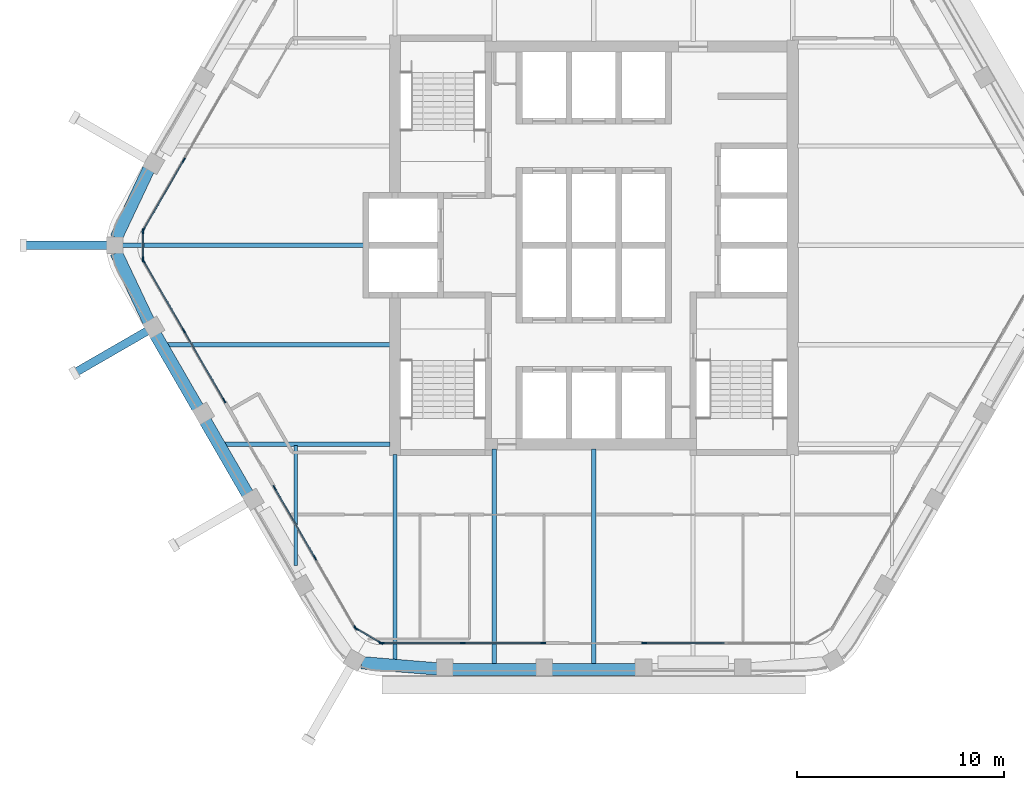
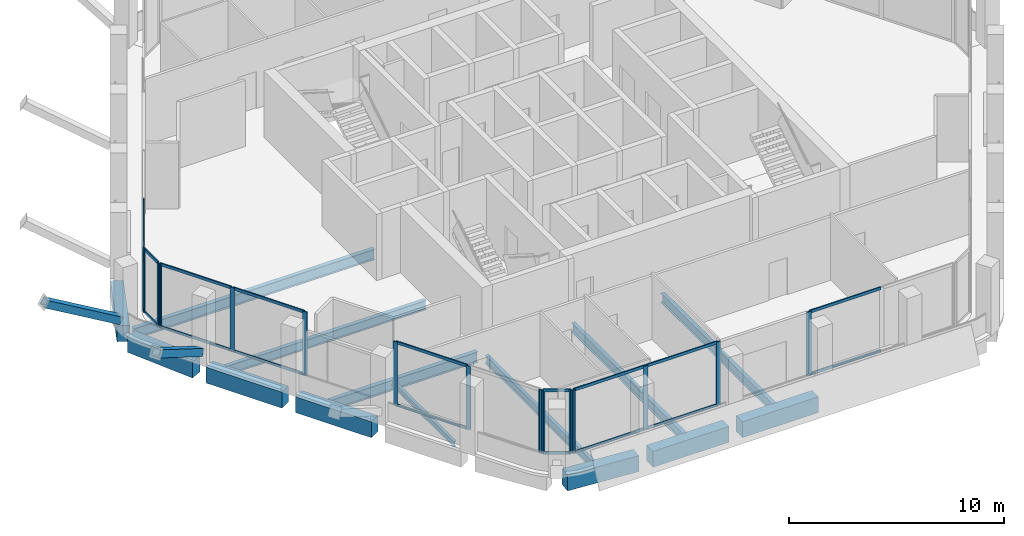
# One storey, part 2 of 14: 36 members, 14 beams, 7 elements without a shape of their own.
"""IFC4 building model written with IfcOpenShell, lengths in metres."""

from ifc_helpers import new_model, si_unit, direction, frame, origin, origin_2d, place, context, subcontext, project, spatial, rectangle, hollow_rectangle, i_section, extrude, material, material_profile, profile_set, type_object, element, aggregate, save


model = new_model("IFC4")

# Units and contexts
model_context = context("Model", 3, precision=1e-05, world=origin(), true_north=direction((0.0, 1.0)))
body_context = subcontext(model_context, "Body", "Model", "MODEL_VIEW")
ifc_project = project(units=[si_unit("LENGTHUNIT", "METRE"), si_unit("AREAUNIT", "SQUARE_METRE"), si_unit("VOLUMEUNIT", "CUBIC_METRE"), si_unit("PLANEANGLEUNIT", "RADIAN"), si_unit("MASSUNIT", "GRAM", prefix="KILO")], contexts=[model_context])

# Site, building, storey
site_placement = place(None, origin())
site = spatial("IfcSite", under=ifc_project, at=site_placement, CompositionType="ELEMENT")
building_placement = place(site_placement, origin())
building = spatial("IfcBuilding", under=site, at=building_placement, Name="Kolab Exchange Tower", CompositionType="ELEMENT")
storey_placement = place(building_placement, frame((0.0, 0.0, 234.5)))
storey = spatial("IfcBuildingStorey", under=building, at=storey_placement, Name="L51", CompositionType="ELEMENT", Elevation=234.5)

# Beams
ifc_material_1 = material(Name="Steel S355", Category="steel")
ifc_material_profile_1 = material_profile(ifc_material_1, i_section(OverallWidth=0.1650390625, OverallDepth=0.31005859375, WebThickness=0.005859375, FlangeThickness=0.009765625, at=origin_2d()), Name="W310X39")
ifc_profile_set_1 = profile_set([ifc_material_profile_1], Name="Steel S355")
beam_type_1 = type_object("IfcBeamType", Name="FLOOR BEAM W310X39", PredefinedType="BEAM", material=ifc_profile_set_1)
beam_1_placement = place(storey_placement, frame((-14.39990234375, -15.4677734375, -0.304931640625), z_axis=(0.0, 1.0, 0.0), x_axis=(-1.0, 0.0, 0.0)))
element("IfcBeam", 1, at=beam_1_placement, inside=storey, type_object=beam_type_1, Name="beam/L51/fr/003", PredefinedType="BEAM", context=body_context, shape_type="SweptSolid", body=[
    extrude(i_section(OverallWidth=0.1650390625, OverallDepth=0.31005859375, WebThickness=0.005859375, FlangeThickness=0.009765625, at=origin_2d()), origin(), (0.0, 0.0, 1.0), 5.793701171875),
])
ifc_material_profile_2 = material_profile(ifc_material_1, i_section(OverallWidth=0.18994140625, OverallDepth=0.45703125, WebThickness=0.009033203125, FlangeThickness=0.014404296875, at=origin_2d()), Name="W460X74")
ifc_profile_set_2 = profile_set([ifc_material_profile_2], Name="Steel S355")
beam_type_2 = type_object("IfcBeamType", Name="FLOOR BEAM W460X74", PredefinedType="BEAM", material=ifc_profile_set_2)
beam_2_placement = place(storey_placement, frame((-9.60009765625, -20.027099609375, -0.37841796875), z_axis=(0.0, 1.0, 0.0), x_axis=(-1.0, 0.0, 0.0)))
element("IfcBeam", 2, at=beam_2_placement, inside=storey, type_object=beam_type_2, Name="beam/L51/fr/005", PredefinedType="BEAM", context=body_context, shape_type="SweptSolid", body=[
    extrude(i_section(OverallWidth=0.18994140625, OverallDepth=0.45703125, WebThickness=0.009033203125, FlangeThickness=0.014404296875, at=origin_2d()), origin(), (0.0, 0.0, 1.0), 9.9169921875),
])
ifc_material_profile_3 = material_profile(ifc_material_1, i_section(OverallWidth=0.208984375, OverallDepth=0.532958984375, WebThickness=0.01025390625, FlangeThickness=0.015625, at=origin_2d()), Name="W530X92")
ifc_profile_set_3 = profile_set([ifc_material_profile_3], Name="Steel S355")
beam_type_3 = type_object("IfcBeamType", Name="FLOOR BEAM W530X92", PredefinedType="BEAM", material=ifc_profile_set_3)
beam_3_placement = place(storey_placement, frame((-20.575927734375, -4.800048828125, -0.41650390625), z_axis=(1.0, 0.0, 0.0), x_axis=(0.0, 1.0, 0.0)))
element("IfcBeam", 3, at=beam_3_placement, inside=storey, type_object=beam_type_3, Name="beam/L51/fr/001", PredefinedType="BEAM", context=body_context, shape_type="SweptSolid", body=[
    extrude(i_section(OverallWidth=0.208984375, OverallDepth=0.532958984375, WebThickness=0.01025390625, FlangeThickness=0.015625, at=origin_2d()), origin(), (0.0, 0.0, 1.0), 10.740966796875),
])
for number, where, z_axis, x_axis, name in (
    (4, (-4.800048828125, -20.224609375, -0.41650390625), (0.0, 1.0, 0.0), (-1.0, 0.0, 0.0), "beam/L51/fr/007"),
    (5, (0.0, -20.224609375, -0.41650390625), (0.0, 1.0, 0.0), (-1.0, 0.0, 0.0), "beam/L51/fr/009"),
):
    element("IfcBeam", number, at=place(storey_placement, frame(where, z_axis=z_axis, x_axis=x_axis)), inside=storey, type_object=beam_type_3, Name=name, PredefinedType="BEAM", context=body_context, shape_type="SweptSolid", body=[
        extrude(i_section(OverallWidth=0.208984375, OverallDepth=0.532958984375, WebThickness=0.01025390625, FlangeThickness=0.015625, at=origin_2d()), origin(), (0.0, 0.0, 1.0), 10.3896484375),
    ])
ifc_material_profile_4 = material_profile(ifc_material_1, i_section(OverallWidth=0.22802734375, OverallDepth=0.60791015625, WebThickness=0.01123046875, FlangeThickness=0.017333984375, at=origin_2d()), Name="W610X113")
ifc_profile_set_4 = profile_set([ifc_material_profile_4], Name="Steel S355")
beam_type_4 = type_object("IfcBeamType", Name="FLOOR BEAM W610X113", PredefinedType="BEAM", material=ifc_profile_set_4)
beam_4_placement = place(storey_placement, frame((-22.77587890625, 0.0, -0.4541015625), z_axis=(1.0, 0.0, 0.0), x_axis=(0.0, 1.0, 0.0)))
element("IfcBeam", 6, at=beam_4_placement, inside=storey, type_object=beam_type_4, Name="beam/L51/fr/000", PredefinedType="BEAM", context=body_context, shape_type="SweptSolid", body=[
    extrude(i_section(OverallWidth=0.22802734375, OverallDepth=0.60791015625, WebThickness=0.01123046875, FlangeThickness=0.017333984375, at=origin_2d()), origin(), (0.0, 0.0, 1.0), 12.94091796875),
])
ifc_material_profile_5 = material_profile(ifc_material_1, i_section(OverallWidth=0.22802734375, OverallDepth=0.60791015625, WebThickness=0.01123046875, FlangeThickness=0.017333984375, at=origin_2d()), Name="W610X113")
ifc_profile_set_5 = profile_set([ifc_material_profile_5], Name="Steel S355")
beam_type_5 = type_object("IfcBeamType", Name="FLOOR GIRDER W610X113", PredefinedType="BEAM", material=ifc_profile_set_5)
beam_5_placement = place(storey_placement, frame((-17.8046875, -9.60009765625, -0.4541015625), z_axis=(1.0, 0.0, 0.0), x_axis=(0.0, 1.0, 0.0)))
element("IfcBeam", 7, at=beam_5_placement, inside=storey, type_object=beam_type_5, Name="beam/L51/gd/000", PredefinedType="BEAM", context=body_context, shape_type="SweptSolid", body=[
    extrude(i_section(OverallWidth=0.22802734375, OverallDepth=0.60791015625, WebThickness=0.01123046875, FlangeThickness=0.017333984375, at=origin_2d()), origin(), (0.0, 0.0, 1.0), 7.9697265625),
])

# Members
ifc_material_profile_6 = material_profile(ifc_material_1, hollow_rectangle(XDim=0.39990234375, YDim=0.39990234375, WallThickness=0.02001953125, at=origin_2d()), Name="HSS400X400X20")
ifc_profile_set_6 = profile_set([ifc_material_profile_6], Name="Steel S355")
member_type_1 = type_object("IfcMemberType", Name="LEDGE STRUT HSS400X400X20", PredefinedType="STRUT", material=ifc_profile_set_6)
for number, where, z_axis, x_axis, name in (
    (8, (-21.5654296875, -4.136962890625, 0.60009765625), (-0.74714919009, -0.431366436313, 0.505659060406), (0.499999695987, -0.866025579307, 0.0), "mem/L51/ledge/strut-2"),
    (9, (-23.495849609375, 0.0, 0.60009765625), (-0.862733263065, 0.0, 0.505659289247), (0.0, -1.0, 0.0), "mem/L51/ledge/strut-3"),
):
    element("IfcMember", number, at=place(storey_placement, frame(where, z_axis=z_axis, x_axis=x_axis)), inside=storey, type_object=member_type_1, Name=name, PredefinedType="STRUT", context=body_context, shape_type="SweptSolid", body=[
        extrude(hollow_rectangle(XDim=0.39990234375, YDim=0.39990234375, WallThickness=0.02001953125, at=origin_2d()), origin(), (0.0, 0.0, 1.0), 4.682861328125),
    ])

# Beams
ifc_material_2 = material(Name="Concrete C50/60", Category="concrete")
ifc_material_profile_7 = material_profile(ifc_material_2, rectangle(XDim=0.60009765625, YDim=0.89990234375, at=origin_2d()), Name="RC600X900")
ifc_profile_set_7 = profile_set([ifc_material_profile_7], Name="Concrete C50/60")
beam_type_6 = type_object("IfcBeamType", Name="SPANDREL BEAM 600X900 C50/60", PredefinedType="BEAM", material=ifc_profile_set_7)
for number, where, z_axis, x_axis, name in (
    (10, (2.0400390625, -20.484619140625, -0.60009765625), (-1.0, 0.0, 0.0), (0.0, -1.0, 0.0), "beam/L51/sp/F4-03"),
    (11, (-2.760009765625, -20.484619140625, -0.60009765625), (-1.0, 0.0, 0.0), (0.0, -1.0, 0.0), "beam/L51/sp/F4-04"),
):
    element("IfcBeam", number, at=place(storey_placement, frame(where, z_axis=z_axis, x_axis=x_axis)), inside=storey, type_object=beam_type_6, Name=name, PredefinedType="BEAM", context=body_context, shape_type="SweptSolid", body=[
        extrude(rectangle(XDim=0.60009765625, YDim=0.89990234375, at=origin_2d()), origin(), (0.0, 0.0, 1.0), 4.080078125),
    ])
beam_6_placement = place(storey_placement, frame((-7.56005859375, -20.455078125, -0.60009765625), z_axis=(-0.996666751878, 0.081580547323, 0.0), x_axis=(-0.081580547323, -0.996666751878, 0.0)))
element("IfcBeam", 12, at=beam_6_placement, inside=storey, type_object=beam_type_6, Name="beam/L51/sp/F4-05", PredefinedType="BEAM", context=body_context, shape_type="SweptSolid", body=[
    extrude(rectangle(XDim=0.60009765625, YDim=0.89990234375, at=origin_2d()), origin(), (0.0, 0.0, 1.0), 3.6689453125),
])
for number, where, z_axis, x_axis, name in (
    (13, (-16.72021484375, -12.009033203125, -0.60009765625), (-0.500000428765, 0.866025156237, 0.0), (-0.866025156237, -0.500000428765, 0.0), "beam/L51/sp/F5-03"),
    (14, (-19.1201171875, -7.85205078125, -0.60009765625), (-0.500000428765, 0.866025156237, 0.0), (-0.866025156237, -0.500000428765, 0.0), "beam/L51/sp/F5-04"),
):
    element("IfcBeam", number, at=place(storey_placement, frame(where, z_axis=z_axis, x_axis=x_axis)), inside=storey, type_object=beam_type_6, Name=name, PredefinedType="BEAM", context=body_context, shape_type="SweptSolid", body=[
        extrude(rectangle(XDim=0.60009765625, YDim=0.89990234375, at=origin_2d()), origin(), (0.0, 0.0, 1.0), 4.080078125),
    ])
for number, where, z_axis, x_axis, name in (
    (15, (-21.49462890625, -3.68017578125, -0.60009765625), (-0.427677251998, 0.903931506323, 0.0), (-0.903931506323, -0.427677251998, 0.0), "beam/L51/sp/F5-05"),
    (16, (-23.063720703125, 0.36376953125, -0.60009765625), (0.427677251998, 0.903931506323, 0.0), (-0.903931506323, 0.427677251998, 0.0), "beam/L51/sp/F6-01"),
):
    element("IfcBeam", number, at=place(storey_placement, frame(where, z_axis=z_axis, x_axis=x_axis)), inside=storey, type_object=beam_type_6, Name=name, PredefinedType="BEAM", context=body_context, shape_type="SweptSolid", body=[
        extrude(rectangle(XDim=0.60009765625, YDim=0.89990234375, at=origin_2d()), origin(), (0.0, 0.0, 1.0), 3.6689453125),
    ])

# Curtain wall, member
ifc_material_3 = material(Name="Aluminium EN AW-6063 T6", Category="aluminium")
curtain_wall_type = type_object("IfcCurtainWallType", Name="UNITISED HIGH ZONE CURTAIN WALL", PredefinedType="NOTDEFINED", material=ifc_material_3)
curtain_wall_1_placement = place(storey_placement, origin())
curtain_wall_1 = element("IfcCurtainWall", 17, at=curtain_wall_1_placement, inside=storey, type_object=curtain_wall_type, Name="cw/L51/F4-1", PredefinedType="NOTDEFINED")
ifc_material_profile_8 = material_profile(ifc_material_3, rectangle(XDim=0.06005859375, YDim=0.239990234375, at=origin_2d()), Name="RECT 60X240")
ifc_profile_set_8 = profile_set([ifc_material_profile_8], Name="Aluminium EN AW-6063 T6")
member_type_2 = type_object("IfcMemberType", Name="UNITISED HIGH ZONE MULLION 60 X 240", PredefinedType="MULLION", material=ifc_profile_set_8)
member_1_placement = place(storey_placement, frame((2.429931640625, -19.20458984375, 0.0), z_axis=(0.0, 0.0, 1.0), x_axis=(0.0, -1.0, 0.0)))
member_1 = element("IfcMember", 18, at=member_1_placement, type_object=member_type_2, Name="CW4 mullion 3", PredefinedType="MULLION", context=body_context, shape_type="SweptSolid", body=[
    extrude(rectangle(XDim=0.06005859375, YDim=0.239990234375, at=origin_2d()), origin(), (0.0, 0.0, 1.0), 3.60009765625),
])

# Curtain wall, members
curtain_wall_2_placement = place(storey_placement, origin())
curtain_wall_2 = element("IfcCurtainWall", 19, at=curtain_wall_2_placement, inside=storey, type_object=curtain_wall_type, Name="cw/L51/F4-2", PredefinedType="NOTDEFINED")
member_2_placement = place(storey_placement, frame((-2.429931640625, -19.20458984375, 0.0), z_axis=(0.0, 0.0, 1.0), x_axis=(0.0, -1.0, 0.0)))
member_2 = element("IfcMember", 20, at=member_2_placement, type_object=member_type_2, Name="CW4 mullion 1", PredefinedType="MULLION", context=body_context, shape_type="SweptSolid", body=[
    extrude(rectangle(XDim=0.06005859375, YDim=0.239990234375, at=origin_2d()), origin(), (0.0, 0.0, 1.0), 3.60009765625),
])
member_3_placement = place(storey_placement, frame((-6.333984375, -19.20458984375, 0.0), z_axis=(0.0, 0.0, 1.0), x_axis=(0.0, -1.0, 0.0)))
member_3 = element("IfcMember", 21, at=member_3_placement, type_object=member_type_2, Name="CW4 mullion 2", PredefinedType="MULLION", context=body_context, shape_type="SweptSolid", body=[
    extrude(rectangle(XDim=0.06005859375, YDim=0.239990234375, at=origin_2d()), origin(), (0.0, 0.0, 1.0), 3.60009765625),
])
member_4_placement = place(storey_placement, frame((-10.238037109375, -19.20458984375, 0.0), z_axis=(0.0, 0.0, 1.0), x_axis=(0.0, -1.0, 0.0)))
member_4 = element("IfcMember", 22, at=member_4_placement, type_object=member_type_2, Name="CW4 mullion 3", PredefinedType="MULLION", context=body_context, shape_type="SweptSolid", body=[
    extrude(rectangle(XDim=0.06005859375, YDim=0.239990234375, at=origin_2d()), origin(), (0.0, 0.0, 1.0), 3.60009765625),
])

curtain_wall_3_placement = place(storey_placement, origin())
curtain_wall_3 = element("IfcCurtainWall", 23, at=curtain_wall_3_placement, inside=storey, type_object=curtain_wall_type, Name="cw/L51/F5-1", PredefinedType="NOTDEFINED")
member_5_placement = place(storey_placement, frame((-11.5126953125, -18.46875, 0.0), z_axis=(0.0, 0.0, 1.0), x_axis=(-0.866025385493, -0.500000031681, 0.0)))
member_5 = element("IfcMember", 24, at=member_5_placement, type_object=member_type_2, Name="CW4 mullion 1", PredefinedType="MULLION", context=body_context, shape_type="SweptSolid", body=[
    extrude(rectangle(XDim=0.06005859375, YDim=0.239990234375, at=origin_2d()), origin(), (0.0, 0.0, 1.0), 3.60009765625),
])
member_6_placement = place(storey_placement, frame((-13.464599609375, -15.087646484375, 0.0), z_axis=(0.0, 0.0, 1.0), x_axis=(-0.866025385493, -0.500000031681, 0.0)))
member_6 = element("IfcMember", 25, at=member_6_placement, type_object=member_type_2, Name="CW4 mullion 2", PredefinedType="MULLION", context=body_context, shape_type="SweptSolid", body=[
    extrude(rectangle(XDim=0.06005859375, YDim=0.239990234375, at=origin_2d()), origin(), (0.0, 0.0, 1.0), 3.60009765625),
])
member_7_placement = place(storey_placement, frame((-15.416748046875, -11.706787109375, 0.0), z_axis=(0.0, 0.0, 1.0), x_axis=(-0.866025385493, -0.500000031681, 0.0)))
member_7 = element("IfcMember", 26, at=member_7_placement, type_object=member_type_2, Name="CW4 mullion 3", PredefinedType="MULLION", context=body_context, shape_type="SweptSolid", body=[
    extrude(rectangle(XDim=0.06005859375, YDim=0.239990234375, at=origin_2d()), origin(), (0.0, 0.0, 1.0), 3.60009765625),
])

curtain_wall_4_placement = place(storey_placement, origin())
curtain_wall_4 = element("IfcCurtainWall", 27, at=curtain_wall_4_placement, inside=storey, type_object=curtain_wall_type, Name="cw/L51/F5-2", PredefinedType="NOTDEFINED")
member_8_placement = place(storey_placement, frame((-17.8466796875, -7.497802734375, 0.0), z_axis=(0.0, 0.0, 1.0), x_axis=(-0.866025440524, -0.499999936366, 0.0)))
member_8 = element("IfcMember", 28, at=member_8_placement, type_object=member_type_2, Name="CW4 mullion 1", PredefinedType="MULLION", context=body_context, shape_type="SweptSolid", body=[
    extrude(rectangle(XDim=0.06005859375, YDim=0.239990234375, at=origin_2d()), origin(), (0.0, 0.0, 1.0), 3.60009765625),
])
member_9_placement = place(storey_placement, frame((-19.798583984375, -4.116943359375, 0.0), z_axis=(0.0, 0.0, 1.0), x_axis=(-0.866025440524, -0.499999936366, 0.0)))
member_9 = element("IfcMember", 29, at=member_9_placement, type_object=member_type_2, Name="CW4 mullion 2", PredefinedType="MULLION", context=body_context, shape_type="SweptSolid", body=[
    extrude(rectangle(XDim=0.06005859375, YDim=0.239990234375, at=origin_2d()), origin(), (0.0, 0.0, 1.0), 3.60009765625),
])
member_10_placement = place(storey_placement, frame((-21.750732421875, -0.736083984375, 0.0), z_axis=(0.0, 0.0, 1.0), x_axis=(-0.866025440524, -0.499999936366, 0.0)))
member_10 = element("IfcMember", 30, at=member_10_placement, type_object=member_type_2, Name="CW4 mullion 3", PredefinedType="MULLION", context=body_context, shape_type="SweptSolid", body=[
    extrude(rectangle(XDim=0.06005859375, YDim=0.239990234375, at=origin_2d()), origin(), (0.0, 0.0, 1.0), 3.60009765625),
])

curtain_wall_5_placement = place(storey_placement, origin())
curtain_wall_5 = element("IfcCurtainWall", 31, at=curtain_wall_5_placement, inside=storey, type_object=curtain_wall_type, Name="cw/L51/F6-1", PredefinedType="NOTDEFINED")
member_11_placement = place(storey_placement, frame((-21.750732421875, 0.736083984375, 0.0), z_axis=(0.0, 0.0, 1.0), x_axis=(-0.866025440524, 0.499999936366, 0.0)))
member_11 = element("IfcMember", 32, at=member_11_placement, type_object=member_type_2, Name="CW4 mullion 1", PredefinedType="MULLION", context=body_context, shape_type="SweptSolid", body=[
    extrude(rectangle(XDim=0.06005859375, YDim=0.239990234375, at=origin_2d()), origin(), (0.0, 0.0, 1.0), 3.60009765625),
])
member_12_placement = place(storey_placement, frame((-19.798583984375, 4.116943359375, 0.0), z_axis=(0.0, 0.0, 1.0), x_axis=(-0.866025440524, 0.499999936366, 0.0)))
member_12 = element("IfcMember", 33, at=member_12_placement, type_object=member_type_2, Name="CW4 mullion 2", PredefinedType="MULLION", context=body_context, shape_type="SweptSolid", body=[
    extrude(rectangle(XDim=0.06005859375, YDim=0.239990234375, at=origin_2d()), origin(), (0.0, 0.0, 1.0), 3.60009765625),
])

curtain_wall_6_placement = place(storey_placement, origin())
curtain_wall_6 = element("IfcCurtainWall", 34, at=curtain_wall_6_placement, inside=storey, type_object=curtain_wall_type, Name="cw/L51/F4F5-corner", PredefinedType="NOTDEFINED")
member_13_placement = place(storey_placement, frame((-10.2939453125, -19.189697265625, 0.0), z_axis=(0.0, 0.0, 1.0), x_axis=(-0.50000002237, -0.866025390869, 0.0)))
member_13 = element("IfcMember", 35, at=member_13_placement, type_object=member_type_2, Name="CW4 mullion 1", PredefinedType="MULLION", context=body_context, shape_type="SweptSolid", body=[
    extrude(rectangle(XDim=0.06005859375, YDim=0.239990234375, at=origin_2d()), origin(), (0.0, 0.0, 1.0), 3.60009765625),
])
member_14_placement = place(storey_placement, frame((-11.4716796875, -18.509521484375, 0.0), z_axis=(0.0, 0.0, 1.0), x_axis=(-0.50000002237, -0.866025390869, 0.0)))
member_14 = element("IfcMember", 36, at=member_14_placement, type_object=member_type_2, Name="CW4 mullion 2", PredefinedType="MULLION", context=body_context, shape_type="SweptSolid", body=[
    extrude(rectangle(XDim=0.06005859375, YDim=0.239990234375, at=origin_2d()), origin(), (0.0, 0.0, 1.0), 3.60009765625),
])

curtain_wall_7_placement = place(storey_placement, origin())
curtain_wall_7 = element("IfcCurtainWall", 37, at=curtain_wall_7_placement, inside=storey, type_object=curtain_wall_type, Name="cw/L51/F5F6-corner", PredefinedType="NOTDEFINED")
member_15_placement = place(storey_placement, frame((-21.765625, -0.679931640625, 0.0), z_axis=(0.0, 0.0, 1.0), x_axis=(-1.0, 0.0, 0.0)))
member_15 = element("IfcMember", 38, at=member_15_placement, type_object=member_type_2, Name="CW4 mullion 1", PredefinedType="MULLION", context=body_context, shape_type="SweptSolid", body=[
    extrude(rectangle(XDim=0.06005859375, YDim=0.239990234375, at=origin_2d()), origin(), (0.0, 0.0, 1.0), 3.60009765625),
])
member_16_placement = place(storey_placement, frame((-21.765625, 0.679931640625, 0.0), z_axis=(0.0, 0.0, 1.0), x_axis=(-1.0, 0.0, 0.0)))
member_16 = element("IfcMember", 39, at=member_16_placement, type_object=member_type_2, Name="CW4 mullion 2", PredefinedType="MULLION", context=body_context, shape_type="SweptSolid", body=[
    extrude(rectangle(XDim=0.06005859375, YDim=0.239990234375, at=origin_2d()), origin(), (0.0, 0.0, 1.0), 3.60009765625),
])

# Member
ifc_material_profile_9 = material_profile(ifc_material_3, rectangle(XDim=0.06005859375, YDim=0.159912109375, at=origin_2d()), Name="RECT 60X160")
ifc_profile_set_9 = profile_set([ifc_material_profile_9], Name="Aluminium EN AW-6063 T6")
member_type_3 = type_object("IfcMemberType", Name="UNITISED HIGH ZONE TRANSOM 60 X 160", PredefinedType="USERDEFINED", material=ifc_profile_set_9)
member_17_placement = place(storey_placement, frame((6.303955078125, -19.20458984375, 0.030029296875), z_axis=(-1.0, 0.0, 0.0), x_axis=(0.0, -1.0, 0.0)))
member_17 = element("IfcMember", 40, at=member_17_placement, type_object=member_type_3, Name="CW4 transom 2.1", ObjectType="TRANSOM", PredefinedType="USERDEFINED", context=body_context, shape_type="SweptSolid", body=[
    extrude(rectangle(XDim=0.06005859375, YDim=0.159912109375, at=origin_2d()), origin(), (0.0, 0.0, 1.0), 3.843994140625),
])

member_18_placement = place(storey_placement, frame((6.303955078125, -19.20458984375, 3.570068359375), z_axis=(-1.0, 0.0, 0.0), x_axis=(0.0, -1.0, 0.0)))
member_18 = element("IfcMember", 41, at=member_18_placement, type_object=member_type_3, Name="CW4 transom 2.2", ObjectType="TRANSOM", PredefinedType="USERDEFINED", context=body_context, shape_type="SweptSolid", body=[
    extrude(rectangle(XDim=0.06005859375, YDim=0.159912109375, at=origin_2d()), origin(), (0.0, 0.0, 1.0), 3.843994140625),
])

aggregate(curtain_wall_1, [member_1, member_17, member_18])

member_19_placement = place(storey_placement, frame((-2.4599609375, -19.20458984375, 0.030029296875), z_axis=(-1.0, 0.0, 0.0), x_axis=(0.0, -1.0, 0.0)))
member_19 = element("IfcMember", 42, at=member_19_placement, type_object=member_type_3, Name="CW4 transom 1.1", ObjectType="TRANSOM", PredefinedType="USERDEFINED", context=body_context, shape_type="SweptSolid", body=[
    extrude(rectangle(XDim=0.06005859375, YDim=0.159912109375, at=origin_2d()), origin(), (0.0, 0.0, 1.0), 3.843994140625),
])

member_20_placement = place(storey_placement, frame((-2.4599609375, -19.20458984375, 3.570068359375), z_axis=(-1.0, 0.0, 0.0), x_axis=(0.0, -1.0, 0.0)))
member_20 = element("IfcMember", 43, at=member_20_placement, type_object=member_type_3, Name="CW4 transom 1.2", ObjectType="TRANSOM", PredefinedType="USERDEFINED", context=body_context, shape_type="SweptSolid", body=[
    extrude(rectangle(XDim=0.06005859375, YDim=0.159912109375, at=origin_2d()), origin(), (0.0, 0.0, 1.0), 3.843994140625),
])

member_21_placement = place(storey_placement, frame((-6.364013671875, -19.20458984375, 0.030029296875), z_axis=(-1.0, 0.0, 0.0), x_axis=(0.0, -1.0, 0.0)))
member_21 = element("IfcMember", 44, at=member_21_placement, type_object=member_type_3, Name="CW4 transom 2.1", ObjectType="TRANSOM", PredefinedType="USERDEFINED", context=body_context, shape_type="SweptSolid", body=[
    extrude(rectangle(XDim=0.06005859375, YDim=0.159912109375, at=origin_2d()), origin(), (0.0, 0.0, 1.0), 3.843994140625),
])

member_22_placement = place(storey_placement, frame((-6.364013671875, -19.20458984375, 3.570068359375), z_axis=(-1.0, 0.0, 0.0), x_axis=(0.0, -1.0, 0.0)))
member_22 = element("IfcMember", 45, at=member_22_placement, type_object=member_type_3, Name="CW4 transom 2.2", ObjectType="TRANSOM", PredefinedType="USERDEFINED", context=body_context, shape_type="SweptSolid", body=[
    extrude(rectangle(XDim=0.06005859375, YDim=0.159912109375, at=origin_2d()), origin(), (0.0, 0.0, 1.0), 3.843994140625),
])

aggregate(curtain_wall_2, [member_2, member_3, member_4, member_19, member_20, member_21, member_22])

member_23_placement = place(storey_placement, frame((-13.479736328125, -15.061767578125, 0.030029296875), z_axis=(-0.499964356602, 0.866045981532, 0.0), x_axis=(-0.866045981532, -0.499964356602, 0.0)))
member_23 = element("IfcMember", 46, at=member_23_placement, type_object=member_type_3, Name="CW4 transom 2.1", ObjectType="TRANSOM", PredefinedType="USERDEFINED", context=body_context, shape_type="SweptSolid", body=[
    extrude(rectangle(XDim=0.06005859375, YDim=0.159912109375, at=origin_2d()), origin(), (0.0, 0.0, 1.0), 3.843994140625),
])

member_24_placement = place(storey_placement, frame((-13.479736328125, -15.061767578125, 3.570068359375), z_axis=(-0.499964356602, 0.866045981532, 0.0), x_axis=(-0.866045981532, -0.499964356602, 0.0)))
member_24 = element("IfcMember", 47, at=member_24_placement, type_object=member_type_3, Name="CW4 transom 2.2", ObjectType="TRANSOM", PredefinedType="USERDEFINED", context=body_context, shape_type="SweptSolid", body=[
    extrude(rectangle(XDim=0.06005859375, YDim=0.159912109375, at=origin_2d()), origin(), (0.0, 0.0, 1.0), 3.843994140625),
])

aggregate(curtain_wall_3, [member_5, member_6, member_7, member_23, member_24])

member_25_placement = place(storey_placement, frame((-17.861572265625, -7.471923828125, 0.030029296875), z_axis=(-0.500011990396, 0.866018481016, 0.0), x_axis=(-0.866018481016, -0.500011990396, 0.0)))
member_25 = element("IfcMember", 48, at=member_25_placement, type_object=member_type_3, Name="CW4 transom 1.1", ObjectType="TRANSOM", PredefinedType="USERDEFINED", context=body_context, shape_type="SweptSolid", body=[
    extrude(rectangle(XDim=0.06005859375, YDim=0.159912109375, at=origin_2d()), origin(), (0.0, 0.0, 1.0), 3.84423828125),
])

member_26_placement = place(storey_placement, frame((-17.861572265625, -7.471923828125, 3.570068359375), z_axis=(-0.500011990396, 0.866018481016, 0.0), x_axis=(-0.866018481016, -0.500011990396, 0.0)))
member_26 = element("IfcMember", 49, at=member_26_placement, type_object=member_type_3, Name="CW4 transom 1.2", ObjectType="TRANSOM", PredefinedType="USERDEFINED", context=body_context, shape_type="SweptSolid", body=[
    extrude(rectangle(XDim=0.06005859375, YDim=0.159912109375, at=origin_2d()), origin(), (0.0, 0.0, 1.0), 3.84423828125),
])

member_27_placement = place(storey_placement, frame((-19.813720703125, -4.0908203125, 0.030029296875), z_axis=(-0.499991857942, 0.866030104553, 0.0), x_axis=(-0.866030104553, -0.499991857942, 0.0)))
member_27 = element("IfcMember", 50, at=member_27_placement, type_object=member_type_3, Name="CW4 transom 2.1", ObjectType="TRANSOM", PredefinedType="USERDEFINED", context=body_context, shape_type="SweptSolid", body=[
    extrude(rectangle(XDim=0.06005859375, YDim=0.159912109375, at=origin_2d()), origin(), (0.0, 0.0, 1.0), 3.84375),
])

member_28_placement = place(storey_placement, frame((-19.813720703125, -4.0908203125, 3.570068359375), z_axis=(-0.499991857942, 0.866030104553, 0.0), x_axis=(-0.866030104553, -0.499991857942, 0.0)))
member_28 = element("IfcMember", 51, at=member_28_placement, type_object=member_type_3, Name="CW4 transom 2.2", ObjectType="TRANSOM", PredefinedType="USERDEFINED", context=body_context, shape_type="SweptSolid", body=[
    extrude(rectangle(XDim=0.06005859375, YDim=0.159912109375, at=origin_2d()), origin(), (0.0, 0.0, 1.0), 3.84375),
])

aggregate(curtain_wall_4, [member_8, member_9, member_10, member_25, member_26, member_27, member_28])

member_29_placement = place(storey_placement, frame((-21.735595703125, 0.761962890625, 0.030029296875), z_axis=(0.499991857942, 0.866030104553, 0.0), x_axis=(-0.866030104553, 0.499991857942, 0.0)))
member_29 = element("IfcMember", 52, at=member_29_placement, type_object=member_type_3, Name="CW4 transom 1.1", ObjectType="TRANSOM", PredefinedType="USERDEFINED", context=body_context, shape_type="SweptSolid", body=[
    extrude(rectangle(XDim=0.06005859375, YDim=0.159912109375, at=origin_2d()), origin(), (0.0, 0.0, 1.0), 3.84375),
])

member_30_placement = place(storey_placement, frame((-21.735595703125, 0.761962890625, 3.570068359375), z_axis=(0.499991857942, 0.866030104553, 0.0), x_axis=(-0.866030104553, 0.499991857942, 0.0)))
member_30 = element("IfcMember", 53, at=member_30_placement, type_object=member_type_3, Name="CW4 transom 1.2", ObjectType="TRANSOM", PredefinedType="USERDEFINED", context=body_context, shape_type="SweptSolid", body=[
    extrude(rectangle(XDim=0.06005859375, YDim=0.159912109375, at=origin_2d()), origin(), (0.0, 0.0, 1.0), 3.84375),
])

aggregate(curtain_wall_5, [member_11, member_12, member_29, member_30])

member_31_placement = place(storey_placement, frame((-10.31982421875, -19.174560546875, 0.030029296875), z_axis=(-0.866085525409, 0.49989585183, 0.0), x_axis=(-0.49989585183, -0.866085525409, 0.0)))
member_31 = element("IfcMember", 54, at=member_31_placement, type_object=member_type_3, Name="CW4 transom 1.1", ObjectType="TRANSOM", PredefinedType="USERDEFINED", context=body_context, shape_type="SweptSolid", body=[
    extrude(rectangle(XDim=0.06005859375, YDim=0.159912109375, at=origin_2d()), origin(), (0.0, 0.0, 1.0), 1.300048828125),
])

member_32_placement = place(storey_placement, frame((-10.31982421875, -19.174560546875, 3.570068359375), z_axis=(-0.866085525409, 0.49989585183, 0.0), x_axis=(-0.49989585183, -0.866085525409, 0.0)))
member_32 = element("IfcMember", 55, at=member_32_placement, type_object=member_type_3, Name="CW4 transom 1.2", ObjectType="TRANSOM", PredefinedType="USERDEFINED", context=body_context, shape_type="SweptSolid", body=[
    extrude(rectangle(XDim=0.06005859375, YDim=0.159912109375, at=origin_2d()), origin(), (0.0, 0.0, 1.0), 1.300048828125),
])

aggregate(curtain_wall_6, [member_13, member_14, member_31, member_32])

member_33_placement = place(storey_placement, frame((-21.765625, -0.64990234375, 0.030029296875), z_axis=(0.0, 1.0, 0.0), x_axis=(-1.0, 0.0, 0.0)))
member_33 = element("IfcMember", 56, at=member_33_placement, type_object=member_type_3, Name="CW4 transom 1.1", ObjectType="TRANSOM", PredefinedType="USERDEFINED", context=body_context, shape_type="SweptSolid", body=[
    extrude(rectangle(XDim=0.06005859375, YDim=0.159912109375, at=origin_2d()), origin(), (0.0, 0.0, 1.0), 1.2998046875),
])

member_34_placement = place(storey_placement, frame((-21.765625, -0.64990234375, 3.570068359375), z_axis=(0.0, 1.0, 0.0), x_axis=(-1.0, 0.0, 0.0)))
member_34 = element("IfcMember", 57, at=member_34_placement, type_object=member_type_3, Name="CW4 transom 1.2", ObjectType="TRANSOM", PredefinedType="USERDEFINED", context=body_context, shape_type="SweptSolid", body=[
    extrude(rectangle(XDim=0.06005859375, YDim=0.159912109375, at=origin_2d()), origin(), (0.0, 0.0, 1.0), 1.2998046875),
])

aggregate(curtain_wall_7, [member_15, member_16, member_33, member_34])

save(model, "model.ifc")
